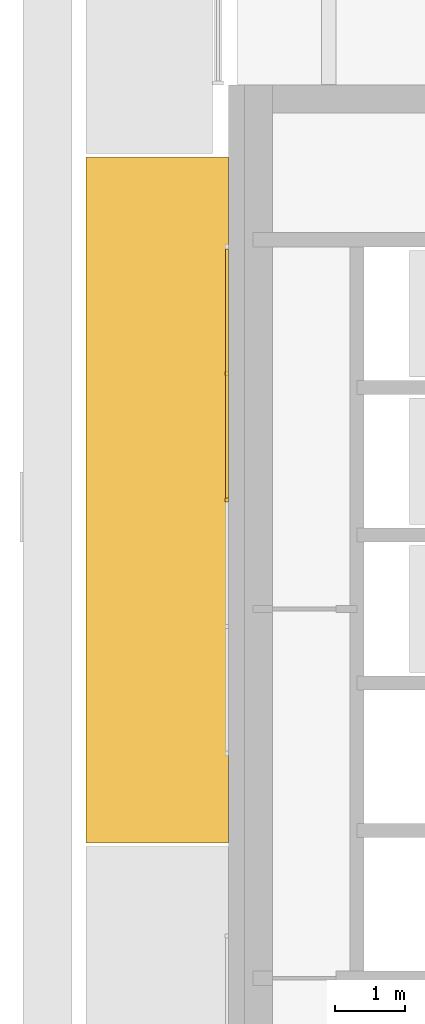
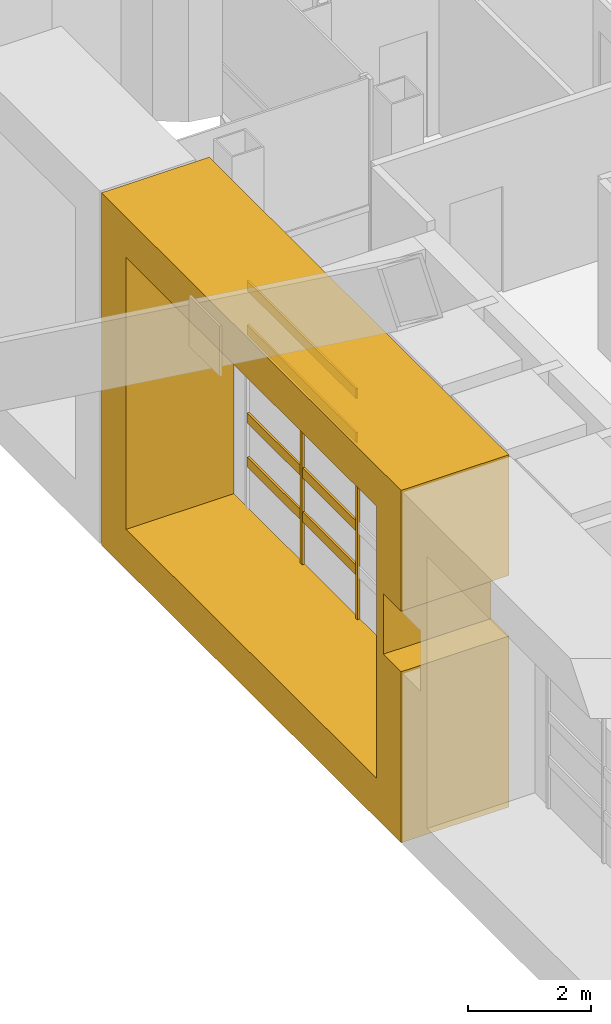
# One storey, part 21 of 29: 7 coverings.
"""IFC4 building model written with IfcOpenShell, lengths in metres."""

from ifc_helpers import new_model, si_unit, direction, frame, origin, origin_2d, place, context, subcontext, project, spatial, polyline, rectangle, outline, extrude, material, type_object, element, save


model = new_model("IFC4")

# Units and contexts
model_context = context("Model", 3, precision=1e-05, world=origin(), true_north=direction((0.0, 1.0)))
body_context = subcontext(model_context, "Body", "Model", "MODEL_VIEW")
ifc_project = project(units=[si_unit("LENGTHUNIT", "METRE"), si_unit("AREAUNIT", "SQUARE_METRE"), si_unit("VOLUMEUNIT", "CUBIC_METRE"), si_unit("PLANEANGLEUNIT", "RADIAN"), si_unit("MASSUNIT", "GRAM", prefix="KILO")], contexts=[model_context])

# Site, building, storey
site_placement = place(None, origin())
site = spatial("IfcSite", under=ifc_project, at=site_placement, CompositionType="ELEMENT")
building_placement = place(site_placement, origin())
building = spatial("IfcBuilding", under=site, at=building_placement, Name="Cobrizo Arcos Hotel Tower", CompositionType="ELEMENT")
storey_placement = place(building_placement, frame((0.0, 0.0, 241.0)))
storey = spatial("IfcBuildingStorey", under=building, at=storey_placement, Name="L63", CompositionType="ELEMENT", Elevation=241.0)

# Coverings
ifc_material_1 = material(Name="Aluminium 6063-T6 anodised bronze", Category="aluminium")
covering_type_1 = type_object("IfcCoveringType", Name="FIN-F 2025", PredefinedType="CLADDING", material=ifc_material_1)
covering_placement = place(storey_placement, frame((-20.625, 9.77490234375, 0.0), z_axis=(-1.0, 0.0, 0.0), x_axis=(0.0, -1.0, 0.0)))
element("IfcCovering", 1, at=covering_placement, inside=storey, type_object=covering_type_1, Name="Fin frame 424", PredefinedType="CLADDING", context=body_context, shape_type="SweptSolid", body=[
    extrude(outline(polyline([(9.75, 0.0), (9.75, 3.39794921875), (9.173095703125, 3.39794921875), (9.173095703125, 4.60205078125), (9.75, 4.60205078125), (9.75, 7.0), (0.0, 7.0), (0.0, 0.0), (9.75, 0.0)]), holes=[polyline([(8.949951171875, 0.800048828125), (0.800048828125, 0.800048828125), (0.800048828125, 6.199951171875), (8.949951171875, 6.199951171875), (8.949951171875, 0.800048828125)])]), origin(), (0.0, 0.0, 1.0), 2.02490234375),
])
ifc_material_2 = material(Name="Aluminium 6063-T6 anodised pale", Category="aluminium")
covering_type_2 = type_object("IfcCoveringType", Name="RS-2 rainscreen rib 60x50", PredefinedType="CLADDING", material=ifc_material_2)
for number, where, z_axis, x_axis, name in (
    (2, (-20.64990234375, 6.699951171875, 0.800048828125), (0.0, 0.0, 1.0), (0.0, -1.0, 0.0), "Rainscreen rib 312"),
    (3, (-20.64990234375, 4.89990234375, 0.800048828125), (0.0, 0.0, 1.0), (0.0, -1.0, 0.0), "Rainscreen rib 313"),
):
    element("IfcCovering", number, at=place(storey_placement, frame(where, z_axis=z_axis, x_axis=x_axis)), inside=storey, type_object=covering_type_2, Name=name, PredefinedType="CLADDING", context=body_context, shape_type="SweptSolid", body=[
        extrude(rectangle(XDim=0.06005859375, YDim=0.050048828125, at=origin_2d()), origin(), (0.0, 0.0, 1.0), 5.39990234375),
    ])
covering_type_3 = type_object("IfcCoveringType", Name="RS-3 rainscreen louvre slat 200x40", PredefinedType="CLADDING", material=ifc_material_2)
for number, where, z_axis, x_axis, name in (
    (4, (-20.64501953125, 6.699951171875, 1.64990234375), (0.0, 0.0, 1.0), (0.0, -1.0, 0.0), "Rainscreen slat 165"),
    (5, (-20.64501953125, 6.699951171875, 2.52490234375), (0.0, 0.0, 1.0), (0.0, -1.0, 0.0), "Rainscreen slat 166"),
    (6, (-20.64501953125, 6.699951171875, 4.27490234375), (0.0, 0.0, 1.0), (0.0, -1.0, 0.0), "Rainscreen slat 169"),
    (7, (-20.64501953125, 6.699951171875, 5.14990234375), (0.0, 0.0, 1.0), (0.0, -1.0, 0.0), "Rainscreen slat 170"),
):
    element("IfcCovering", number, at=place(storey_placement, frame(where, z_axis=z_axis, x_axis=x_axis)), inside=storey, type_object=covering_type_3, Name=name, PredefinedType="CLADDING", context=body_context, shape_type="SweptSolid", body=[
        extrude(rectangle(XDim=3.5400390625, YDim=0.0400390625, at=origin_2d()), origin(), (0.0, 0.0, 1.0), 0.199951171875),
    ])

save(model, "model.ifc")
